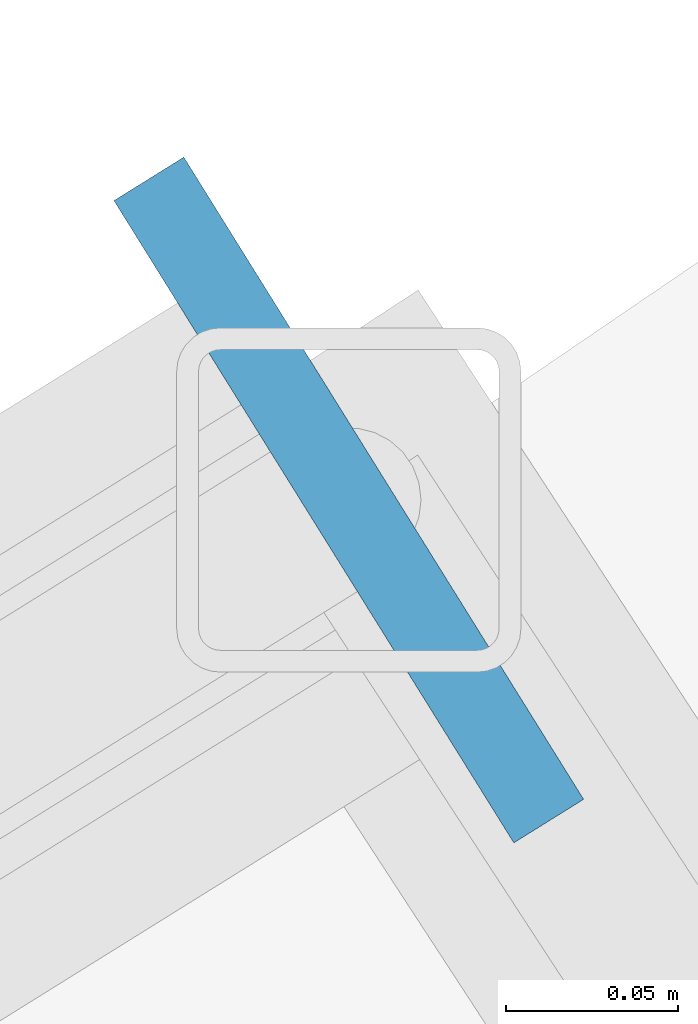
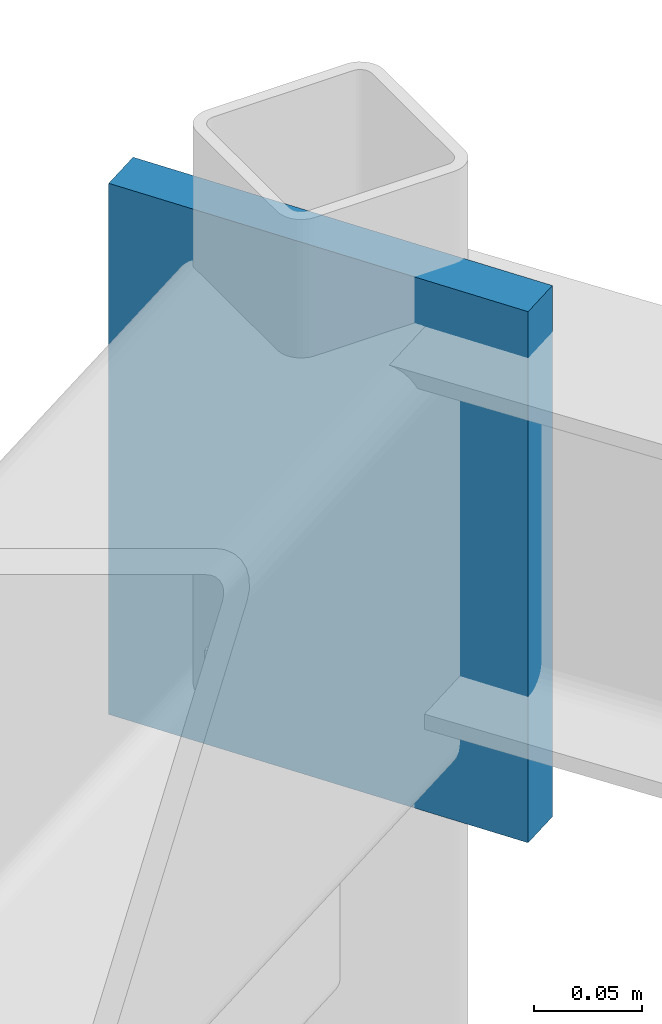
# One storey, part 52 of 100: 1 plate.
"""IFC4 building model written with IfcOpenShell, lengths in metres."""

from ifc_helpers import new_model, si_unit, direction, frame, origin, origin_2d, place, context, subcontext, project, spatial, rectangle, extrude, material, layer, layer_set, type_object, element, save


model = new_model("IFC4")

# Units and contexts
model_context = context("Model", 3, precision=1e-05, world=origin(), true_north=direction((0.0, 1.0)))
body_context = subcontext(model_context, "Body", "Model", "MODEL_VIEW")
ifc_project = project(units=[si_unit("LENGTHUNIT", "METRE"), si_unit("AREAUNIT", "SQUARE_METRE"), si_unit("VOLUMEUNIT", "CUBIC_METRE"), si_unit("PLANEANGLEUNIT", "RADIAN"), si_unit("MASSUNIT", "GRAM", prefix="KILO"), si_unit("POWERUNIT", "WATT"), si_unit("THERMODYNAMICTEMPERATUREUNIT", "KELVIN")], contexts=[model_context])

# Site, building, storey
site_placement = place(None, origin())
site = spatial("IfcSite", under=ifc_project, at=site_placement, CompositionType="ELEMENT")
building_placement = place(site_placement, origin())
building = spatial("IfcBuilding", under=site, at=building_placement, Name="Ruvembo Vaulted Housing Court", CompositionType="ELEMENT")
storey_placement = place(building_placement, frame((0.0, 0.0, 10.89990234375)))
storey = spatial("IfcBuildingStorey", under=building, at=storey_placement, Name="L03", CompositionType="ELEMENT", Elevation=10.89990234375)

# Plate
ifc_material = material(Name="Steel S355J2", Category="steel")
ifc_layer = layer(ifc_material, 0.01611328125, Name="Steel S355J2")
ifc_layer_set = layer_set([ifc_layer], Name="Steel S355J2")
plate_type = type_object("IfcPlateType", Name="PL-NODE-GUSSET-16", PredefinedType="USERDEFINED", material=ifc_layer_set)
plate_placement = place(storey_placement, frame((94.00537109375, 23.62841796875, 2.6650390625), z_axis=(0.0, 0.0, 1.0), x_axis=(0.848897895443, 0.528556868381, 0.0)))
element("IfcPlate", 1, at=plate_placement, inside=storey, type_object=plate_type, Name="Scoop SC2 L03 Hollow Spandrel End Cap Plate 27", ObjectType="GUSSET_PLATE", PredefinedType="USERDEFINED", context=body_context, shape_type="SweptSolid", body=[
    extrude(rectangle(XDim=0.02392578125, YDim=0.219970703125, at=origin_2d()), origin(), (0.0, 0.0, 1.0), 0.300048828125),
])

save(model, "model.ifc")
